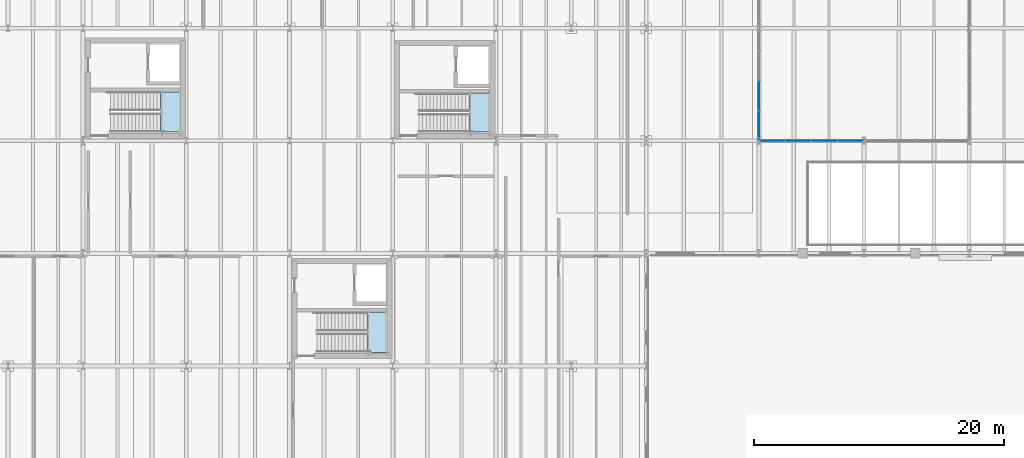
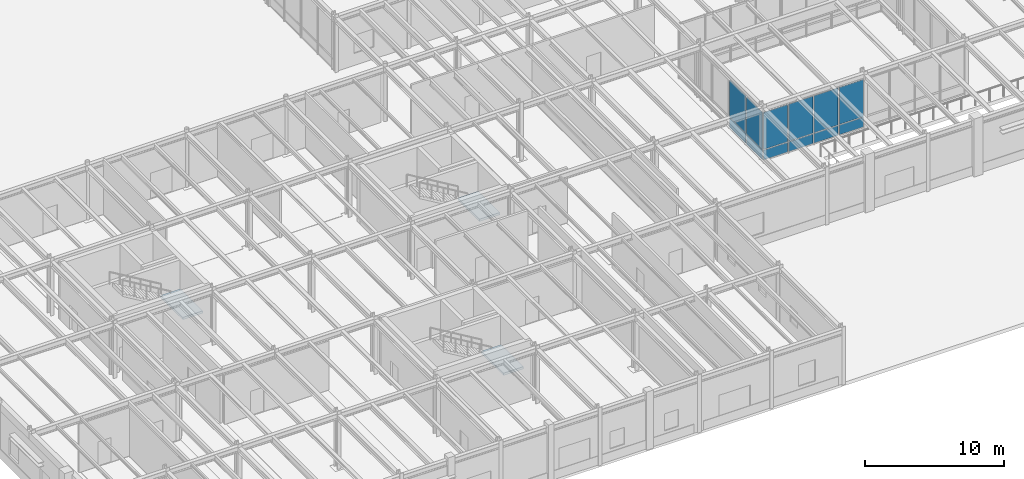
# One storey, part 32 of 64: 12 plates, 3 slabs, 5 elements without a shape of their own.
"""IFC4 building model written with IfcOpenShell, lengths in metres."""

from ifc_helpers import new_model, si_unit, direction, frame, origin, origin_2d, place, context, subcontext, project, spatial, polyline, rectangle, outline, extrude, material, layer, layer_set, type_object, element, aggregate, save


model = new_model("IFC4")

# Units and contexts
model_context = context("Model", 3, precision=1e-05, world=origin(), true_north=direction((0.0, 1.0)))
body_context = subcontext(model_context, "Body", "Model", "MODEL_VIEW")
ifc_project = project(units=[si_unit("LENGTHUNIT", "METRE"), si_unit("AREAUNIT", "SQUARE_METRE"), si_unit("VOLUMEUNIT", "CUBIC_METRE"), si_unit("PLANEANGLEUNIT", "RADIAN"), si_unit("MASSUNIT", "GRAM", prefix="KILO")], contexts=[model_context])

# Site, building, storey
site_placement = place(None, origin())
site = spatial("IfcSite", under=ifc_project, at=site_placement, CompositionType="ELEMENT")
building_placement = place(site_placement, origin())
building = spatial("IfcBuilding", under=site, at=building_placement, Name="Montealbar Specialist Clinic", CompositionType="ELEMENT")
storey_placement = place(building_placement, origin())
storey = spatial("IfcBuildingStorey", under=building, at=storey_placement, Name="L00", CompositionType="ELEMENT", Elevation=0.0)

# Curtain wall, plates
ifc_material_1 = material(Name="Low-E double glazing", Category="glass")
ifc_layer_1 = layer(ifc_material_1, 0.199951171875, Name="Low-E double glazing", Category="glass")
ifc_layer_set_1 = layer_set([ifc_layer_1], Name="Low-E double glazing")
curtain_wall_type_1 = type_object("IfcCurtainWallType", Name="CW-TYPE-04", PredefinedType="NOTDEFINED", material=ifc_layer_set_1)
curtain_wall_1_placement = place(storey_placement, origin())
curtain_wall_1 = element("IfcCurtainWall", 1, at=curtain_wall_1_placement, inside=storey, type_object=curtain_wall_type_1, Name="Unitised Curtain Wall CW-L00-1200-390-1200-270-0", PredefinedType="NOTDEFINED")
ifc_layer_2 = layer(ifc_material_1, 0.028076171875, Name="Low-E double glazing", Category="glass")
ifc_layer_set_2 = layer_set([ifc_layer_2], Name="Low-E double glazing")
plate_type = type_object("IfcPlateType", Name="CW-PNL-IGU28", PredefinedType="CURTAIN_PANEL", material=ifc_layer_set_2)
plate_1_placement = place(storey_placement, frame((120.0, 30.60009765625, 0.070068359375), z_axis=(0.0, 0.0, 1.0), x_axis=(0.0, -1.0, 0.0)))
plate_1 = element("IfcPlate", 2, at=plate_1_placement, type_object=plate_type, Name="Glazed Curtain Panel CW-L00-1200-390-1200-270-0-4-1", PredefinedType="CURTAIN_PANEL", context=body_context, shape_type="SweptSolid", body=[
    extrude(rectangle(XDim=2.303955078125, YDim=0.028076171875, at=origin_2d()), origin(), (0.0, 0.0, 1.0), 0.85009765625),
])
plate_2_placement = place(storey_placement, frame((120.0, 30.60009765625, 0.97998046875), z_axis=(0.0, 0.0, 1.0), x_axis=(0.0, -1.0, 0.0)))
plate_2 = element("IfcPlate", 3, at=plate_2_placement, type_object=plate_type, Name="Glazed Curtain Panel CW-L00-1200-390-1200-270-0-4-2", PredefinedType="CURTAIN_PANEL", context=body_context, shape_type="SweptSolid", body=[
    extrude(rectangle(XDim=2.303955078125, YDim=0.028076171875, at=origin_2d()), origin(), (0.0, 0.0, 1.0), 3.260009765625),
])
plate_3_placement = place(storey_placement, frame((120.0, 28.199951171875, 0.070068359375), z_axis=(0.0, 0.0, 1.0), x_axis=(0.0, -1.0, 0.0)))
plate_3 = element("IfcPlate", 4, at=plate_3_placement, type_object=plate_type, Name="Glazed Curtain Panel CW-L00-1200-390-1200-270-0-5-1", PredefinedType="CURTAIN_PANEL", context=body_context, shape_type="SweptSolid", body=[
    extrude(rectangle(XDim=2.303955078125, YDim=0.028076171875, at=origin_2d()), origin(), (0.0, 0.0, 1.0), 0.85009765625),
])
plate_4_placement = place(storey_placement, frame((120.0, 28.199951171875, 0.97998046875), z_axis=(0.0, 0.0, 1.0), x_axis=(0.0, -1.0, 0.0)))
plate_4 = element("IfcPlate", 5, at=plate_4_placement, type_object=plate_type, Name="Glazed Curtain Panel CW-L00-1200-390-1200-270-0-5-2", PredefinedType="CURTAIN_PANEL", context=body_context, shape_type="SweptSolid", body=[
    extrude(rectangle(XDim=2.303955078125, YDim=0.028076171875, at=origin_2d()), origin(), (0.0, 0.0, 1.0), 3.260009765625),
])
aggregate(curtain_wall_1, [plate_1, plate_2, plate_3, plate_4])

ifc_layer_3 = layer(ifc_material_1, 0.199951171875, Name="Low-E double glazing", Category="glass")
ifc_layer_set_3 = layer_set([ifc_layer_3], Name="Low-E double glazing")
curtain_wall_type_2 = type_object("IfcCurtainWallType", Name="CW-TYPE-05", PredefinedType="NOTDEFINED", material=ifc_layer_set_3)
curtain_wall_2_placement = place(storey_placement, origin())
curtain_wall_2 = element("IfcCurtainWall", 6, at=curtain_wall_2_placement, inside=storey, type_object=curtain_wall_type_2, Name="Unitised Curtain Wall CW-L00-1200-270-1284-270-0", PredefinedType="NOTDEFINED")
plate_5_placement = place(storey_placement, frame((121.050048828125, 27.0, 0.070068359375), z_axis=(0.0, 0.0, 1.0), x_axis=(1.0, 0.0, 0.0)))
plate_5 = element("IfcPlate", 7, at=plate_5_placement, type_object=plate_type, Name="Glazed Curtain Panel CW-L00-1200-270-1284-270-0-1-1", PredefinedType="CURTAIN_PANEL", context=body_context, shape_type="SweptSolid", body=[
    extrude(rectangle(XDim=2.00390625, YDim=0.028076171875, at=origin_2d()), origin(), (0.0, 0.0, 1.0), 0.85009765625),
])
plate_6_placement = place(storey_placement, frame((121.050048828125, 27.0, 0.97998046875), z_axis=(0.0, 0.0, 1.0), x_axis=(1.0, 0.0, 0.0)))
plate_6 = element("IfcPlate", 8, at=plate_6_placement, type_object=plate_type, Name="Glazed Curtain Panel CW-L00-1200-270-1284-270-0-1-2", PredefinedType="CURTAIN_PANEL", context=body_context, shape_type="SweptSolid", body=[
    extrude(rectangle(XDim=2.00390625, YDim=0.028076171875, at=origin_2d()), origin(), (0.0, 0.0, 1.0), 3.260009765625),
])
plate_7_placement = place(storey_placement, frame((123.14990234375, 27.0, 0.070068359375), z_axis=(0.0, 0.0, 1.0), x_axis=(1.0, 0.0, 0.0)))
plate_7 = element("IfcPlate", 9, at=plate_7_placement, type_object=plate_type, Name="Glazed Curtain Panel CW-L00-1200-270-1284-270-0-2-1", PredefinedType="CURTAIN_PANEL", context=body_context, shape_type="SweptSolid", body=[
    extrude(rectangle(XDim=2.00390625, YDim=0.028076171875, at=origin_2d()), origin(), (0.0, 0.0, 1.0), 0.85009765625),
])
plate_8_placement = place(storey_placement, frame((123.14990234375, 27.0, 0.97998046875), z_axis=(0.0, 0.0, 1.0), x_axis=(1.0, 0.0, 0.0)))
plate_8 = element("IfcPlate", 10, at=plate_8_placement, type_object=plate_type, Name="Glazed Curtain Panel CW-L00-1200-270-1284-270-0-2-2", PredefinedType="CURTAIN_PANEL", context=body_context, shape_type="SweptSolid", body=[
    extrude(rectangle(XDim=2.00390625, YDim=0.028076171875, at=origin_2d()), origin(), (0.0, 0.0, 1.0), 3.260009765625),
])
plate_9_placement = place(storey_placement, frame((125.25, 27.0, 0.070068359375), z_axis=(0.0, 0.0, 1.0), x_axis=(1.0, 0.0, 0.0)))
plate_9 = element("IfcPlate", 11, at=plate_9_placement, type_object=plate_type, Name="Glazed Curtain Panel CW-L00-1200-270-1284-270-0-3-1", PredefinedType="CURTAIN_PANEL", context=body_context, shape_type="SweptSolid", body=[
    extrude(rectangle(XDim=2.00390625, YDim=0.028076171875, at=origin_2d()), origin(), (0.0, 0.0, 1.0), 0.85009765625),
])
plate_10_placement = place(storey_placement, frame((125.25, 27.0, 0.97998046875), z_axis=(0.0, 0.0, 1.0), x_axis=(1.0, 0.0, 0.0)))
plate_10 = element("IfcPlate", 12, at=plate_10_placement, type_object=plate_type, Name="Glazed Curtain Panel CW-L00-1200-270-1284-270-0-3-2", PredefinedType="CURTAIN_PANEL", context=body_context, shape_type="SweptSolid", body=[
    extrude(rectangle(XDim=2.00390625, YDim=0.028076171875, at=origin_2d()), origin(), (0.0, 0.0, 1.0), 3.260009765625),
])
plate_11_placement = place(storey_placement, frame((127.35009765625, 27.0, 0.070068359375), z_axis=(0.0, 0.0, 1.0), x_axis=(1.0, 0.0, 0.0)))
plate_11 = element("IfcPlate", 13, at=plate_11_placement, type_object=plate_type, Name="Glazed Curtain Panel CW-L00-1200-270-1284-270-0-4-1", PredefinedType="CURTAIN_PANEL", context=body_context, shape_type="SweptSolid", body=[
    extrude(rectangle(XDim=2.00390625, YDim=0.028076171875, at=origin_2d()), origin(), (0.0, 0.0, 1.0), 0.85009765625),
])
plate_12_placement = place(storey_placement, frame((127.35009765625, 27.0, 0.97998046875), z_axis=(0.0, 0.0, 1.0), x_axis=(1.0, 0.0, 0.0)))
plate_12 = element("IfcPlate", 14, at=plate_12_placement, type_object=plate_type, Name="Glazed Curtain Panel CW-L00-1200-270-1284-270-0-4-2", PredefinedType="CURTAIN_PANEL", context=body_context, shape_type="SweptSolid", body=[
    extrude(rectangle(XDim=2.00390625, YDim=0.028076171875, at=origin_2d()), origin(), (0.0, 0.0, 1.0), 3.260009765625),
])
aggregate(curtain_wall_2, [plate_5, plate_6, plate_7, plate_8, plate_9, plate_10, plate_11, plate_12])

# Stair, slab
ifc_material_2 = material(Name="Concrete C35/45", Category="concrete")
stair_type_1 = type_object("IfcStairType", Name="STAIR-HT-05", PredefinedType="HALF_TURN_STAIR", material=ifc_material_2)
stair_1_placement = place(storey_placement, origin())
stair_1 = element("IfcStair", 15, at=stair_1_placement, inside=storey, type_object=stair_type_1, Name="L00 Protected Exit Stair Core C3", PredefinedType="HALF_TURN_STAIR")
ifc_layer_4 = layer(ifc_material_2, 0.199951171875, Name="Concrete C35/45", Category="concrete")
ifc_layer_set_4 = layer_set([ifc_layer_4], Name="Concrete C35/45")
slab_type = type_object("IfcSlabType", Name="SL-STAIR-LAND-200", PredefinedType="LANDING", material=ifc_layer_set_4)
slab_1_placement = place(storey_placement, frame((0.0, 0.0, 2.35009765625)))
slab_1 = element("IfcSlab", 16, at=slab_1_placement, type_object=slab_type, Name="ST-03 landing 1", PredefinedType="LANDING", context=body_context, shape_type="SweptSolid", body=[
    extrude(outline(polyline([(72.18994140625, 27.699951171875), (73.85009765625, 27.699951171875), (73.85009765625, 30.89990234375), (72.18994140625, 30.89990234375), (72.18994140625, 27.699951171875)])), origin(), (0.0, 0.0, 1.0), 0.199951171875),
])
aggregate(stair_1, [slab_1])

stair_2_placement = place(storey_placement, origin())
stair_2 = element("IfcStair", 17, at=stair_2_placement, inside=storey, type_object=stair_type_1, Name="L00 Protected Exit Stair Core C4", PredefinedType="HALF_TURN_STAIR")
slab_2_placement = place(storey_placement, frame((0.0, 0.0, 2.35009765625)))
slab_2 = element("IfcSlab", 18, at=slab_2_placement, type_object=slab_type, Name="ST-04 landing 1", PredefinedType="LANDING", context=body_context, shape_type="SweptSolid", body=[
    extrude(outline(polyline([(88.68994140625, 10.10009765625), (90.35009765625, 10.10009765625), (90.35009765625, 13.300048828125), (88.68994140625, 13.300048828125), (88.68994140625, 10.10009765625)])), origin(), (0.0, 0.0, 1.0), 0.199951171875),
])
aggregate(stair_2, [slab_2])

stair_type_2 = type_object("IfcStairType", Name="STAIR-HT-02", PredefinedType="HALF_TURN_STAIR", material=ifc_material_2)
stair_3_placement = place(storey_placement, origin())
stair_3 = element("IfcStair", 19, at=stair_3_placement, inside=storey, type_object=stair_type_2, Name="L00 Protected Exit Stair Core C5", PredefinedType="HALF_TURN_STAIR")
slab_3_placement = place(storey_placement, frame((0.0, 0.0, 2.35009765625)))
slab_3 = element("IfcSlab", 20, at=slab_3_placement, type_object=slab_type, Name="ST-05 landing 1", PredefinedType="LANDING", context=body_context, shape_type="SweptSolid", body=[
    extrude(outline(polyline([(96.840087890625, 27.699951171875), (98.550048828125, 27.699951171875), (98.550048828125, 30.800048828125), (96.840087890625, 30.800048828125), (96.840087890625, 27.699951171875)])), origin(), (0.0, 0.0, 1.0), 0.199951171875),
])
aggregate(stair_3, [slab_3])

save(model, "model.ifc")
